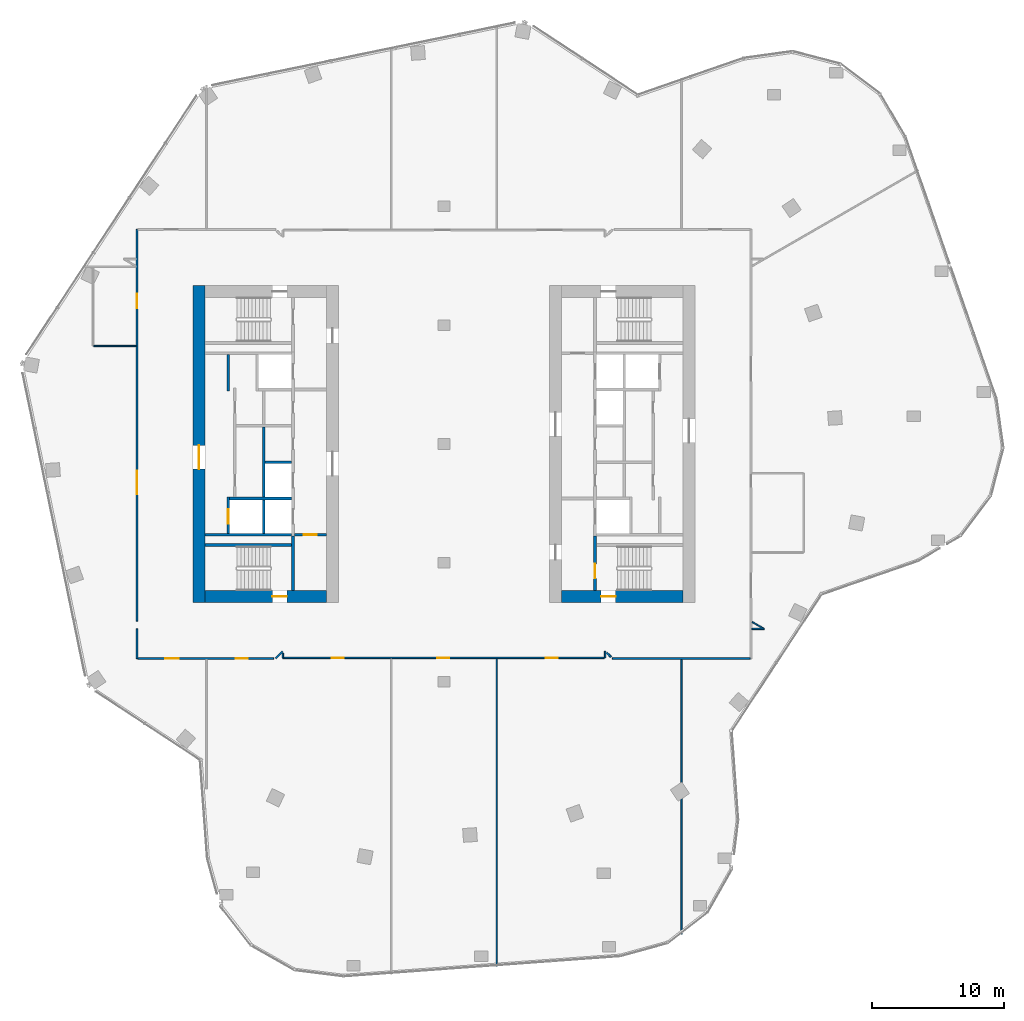
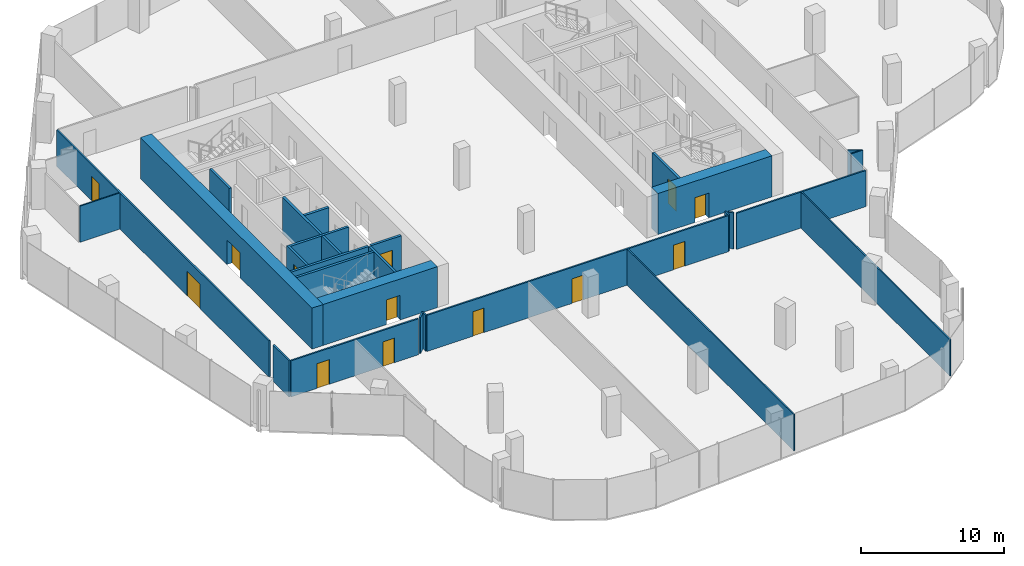
# One storey, part 18 of 24: 28 walls, 13 doors, 13 openings.
"""IFC4 building model written with IfcOpenShell, lengths in metres."""

import ifcopenshell
import ifcopenshell.guid

model = None  # the IFC model being written
_history = None  # IfcOwnerHistory: only IFC2X3 demands one
_inside = {}  # id of a spatial element -> (the spatial element, [elements in it])
_under = {}  # id of a project, library or spatial element -> (it, [spatial elements below it])
_declared = {}  # id of a project -> (the project, [libraries it declares])
_typed = {}  # id of a type object -> (the type object, [elements of that type])
_made_of = {}  # id of a material, layer set ... -> (it, [elements and type objects made of it])


def new_model(schema):
    """Start an empty IFC model of exactly this schema.

    Asked for "IFC4X3", IfcOpenShell would pick the latest addendum, in which some entities
    have other attributes; the version numbers below select the first issue.
    IFC2X3 requires an IfcOwnerHistory on every rooted entity: one is made here for all.
    """
    global model, _history
    if schema == "IFC4X3":
        model = ifcopenshell.file(schema_version=(4, 3, 0, 0))
    else:
        model = ifcopenshell.file(schema=schema)
    _inside.clear()
    _under.clear()
    _declared.clear()
    _typed.clear()
    _made_of.clear()
    _history = None
    if model.schema == "IFC2X3":
        org = make("IfcOrganization", Name="unknown")
        user = make(
            "IfcPersonAndOrganization",
            ThePerson=make("IfcPerson", FamilyName="unknown"),
            TheOrganization=org,
        )
        app = make(
            "IfcApplication",
            ApplicationDeveloper=org,
            Version="unknown",
            ApplicationFullName="unknown",
            ApplicationIdentifier="unknown",
        )
        _history = make(
            "IfcOwnerHistory",
            OwningUser=user,
            OwningApplication=app,
            ChangeAction="ADDED",
            CreationDate=0,
        )
    return model


def make(cls, **values):
    """One entity of the class cls with the attributes given. An attribute that is None is left unset."""
    return model.create_entity(
        cls, **{name: value for name, value in values.items() if value is not None}
    )


def rooted(cls, **values):
    """An entity with a GlobalId (a new one), such as an element, a storey or a relation."""
    return make(cls, GlobalId=ifcopenshell.guid.new(), OwnerHistory=_history, **values)


def si_unit(unit_type, name, prefix=None):
    """IfcSIUnit, for example si_unit("LENGTHUNIT", "METRE", prefix="MILLI")."""
    return make("IfcSIUnit", UnitType=unit_type, Prefix=prefix, Name=name)


def assignment(units):
    """IfcUnitAssignment: the units of a project."""
    return None if units is None else make("IfcUnitAssignment", Units=units)


def point(xyz):
    """IfcCartesianPoint."""
    return None if xyz is None else make("IfcCartesianPoint", Coordinates=xyz)


def direction(xyz):
    """IfcDirection."""
    return None if xyz is None else make("IfcDirection", DirectionRatios=xyz)


def frame(location, z_axis=None, x_axis=None):
    """IfcAxis2Placement3D, a coordinate frame: its origin and axes. An axis left out is left unset."""
    return make(
        "IfcAxis2Placement3D",
        Location=point(location),
        Axis=direction(z_axis),
        RefDirection=direction(x_axis),
    )


def frame_2d(location, x_axis=None):
    """IfcAxis2Placement2D, a coordinate frame in the plane: its origin and x axis."""
    return make(
        "IfcAxis2Placement2D", Location=point(location), RefDirection=direction(x_axis)
    )


def origin():
    """The frame at (0, 0, 0) with its axes left unset."""
    return frame((0.0, 0.0, 0.0))


def place(relative_to, where):
    """IfcLocalPlacement: puts the frame where relative to a parent placement (None: the world)."""
    return make(
        "IfcLocalPlacement", PlacementRelTo=relative_to, RelativePlacement=where
    )


def context(
    kind, dimensions, precision=None, world=None, true_north=None, identifier=None
):
    """IfcGeometricRepresentationContext, for example the 3D "Model" context."""
    return make(
        "IfcGeometricRepresentationContext",
        ContextIdentifier=identifier,
        ContextType=kind,
        CoordinateSpaceDimension=dimensions,
        Precision=precision,
        WorldCoordinateSystem=world,
        TrueNorth=true_north,
    )


def subcontext(parent, identifier, kind, view, scale=None):
    """IfcGeometricRepresentationSubContext, for example "Body" below "Model"."""
    return make(
        "IfcGeometricRepresentationSubContext",
        ContextIdentifier=identifier,
        ContextType=kind,
        ParentContext=parent,
        TargetScale=scale,
        TargetView=view,
    )


def project(units=None, contexts=None):
    """IfcProject with its units and contexts."""
    return rooted(
        "IfcProject",
        Name="project",
        RepresentationContexts=contexts,
        UnitsInContext=assignment(units),
    )


def spatial(cls, under=None, at=None, **own):
    """A site, building, storey or space (cls), placed at a placement, below another one or the project."""
    s = rooted(cls, ObjectPlacement=at, **own)
    if under is not None:
        _under.setdefault(under.id(), (under, []))[1].append(s)
    return s


def profile(cls, at=None, kind="AREA", **sizes):
    """A parametric profile (cls). Its sizes go by their IFC names, for example OverallWidth=200.0."""
    return make(cls, ProfileType=kind, Position=at, **sizes)


def rectangle(**sizes):
    """IfcRectangleProfileDef."""
    return profile("IfcRectangleProfileDef", **sizes)


def extrude(swept, where, along, depth):
    """IfcExtrudedAreaSolid: the profile swept, set in the frame where, extruded along a direction by depth."""
    return make(
        "IfcExtrudedAreaSolid",
        SweptArea=swept,
        Position=where,
        ExtrudedDirection=direction(along),
        Depth=depth,
    )


def shape(context_of_items, identifier, shape_type, items):
    """IfcShapeRepresentation: the items that make up one representation, for example the "Body"."""
    return make(
        "IfcShapeRepresentation",
        ContextOfItems=context_of_items,
        RepresentationIdentifier=identifier,
        RepresentationType=shape_type,
        Items=items,
    )


def material(Name=None, Category=None):
    """IfcMaterial."""
    return make("IfcMaterial", Name=Name, Category=Category)


def layer(
    of_material, thickness, ventilated=None, Name=None, Category=None, Priority=None
):
    """IfcMaterialLayer: one layer of a wall or slab, of a material (None: an air gap)."""
    return make(
        "IfcMaterialLayer",
        Material=of_material,
        LayerThickness=thickness,
        IsVentilated=ventilated,
        Name=Name,
        Category=Category,
        Priority=Priority,
    )


def layer_set(layers, Name=None):
    """IfcMaterialLayerSet."""
    return make("IfcMaterialLayerSet", MaterialLayers=layers, LayerSetName=Name)


def made_of(thing, what):
    """Note that an element or type object is made of a material, layer set ...; save() writes the relation."""
    if what is not None:
        _made_of.setdefault(what.id(), (what, []))[1].append(thing)
    return thing


def type_object(cls, material=None, **own):
    """A type object (cls), such as IfcWallType, which elements share."""
    return made_of(rooted(cls, **own), material)


def element(
    cls,
    number,
    at=None,
    inside=None,
    cuts=None,
    type_object=None,
    material=None,
    context=None,
    identifier="Body",
    shape_type=None,
    held_by="IfcProductDefinitionShape",
    body=None,
    shapes=None,
    **own,
):
    """One element of the class cls, such as IfcWall. Its Tag is "e" and its number.

    at: its placement. inside: the storey or other place that contains it. cuts: it is an
    opening in that element (IfcRelVoidsElement). A single representation is given by context,
    identifier, shape_type and body (its items); several are given by shapes. held_by: the class
    of the entity that holds the representations. save() writes the other relations.
    """
    e = rooted(cls, Tag="e%d" % number, ObjectPlacement=at, **own)
    if body is not None:
        shapes = [shape(context, identifier, shape_type, body)]
    if shapes is not None:
        e.Representation = make(held_by, Representations=shapes)
    if inside is not None:
        _inside.setdefault(inside.id(), (inside, []))[1].append(e)
    if cuts is not None:
        rooted(
            "IfcRelVoidsElement", RelatingBuildingElement=cuts, RelatedOpeningElement=e
        )
    if type_object is not None:
        _typed.setdefault(type_object.id(), (type_object, []))[1].append(e)
    return made_of(e, material)


def fill(opening, filler):
    """IfcRelFillsElement: the door or window that sits in an opening."""
    return rooted(
        "IfcRelFillsElement",
        RelatingOpeningElement=opening,
        RelatedBuildingElement=filler,
    )


def aggregate(whole, parts):
    """IfcRelAggregates: a whole, such as a stair, and the parts it consists of."""
    return rooted("IfcRelAggregates", RelatingObject=whole, RelatedObjects=parts)


def save(model, path):
    """Write the relations noted so far, then the file.

    IfcRelAggregates (storeys below a building ...), IfcRelContainedInSpatialStructure (elements
    in a storey), IfcRelDefinesByType, IfcRelAssociatesMaterial and IfcRelDeclares: one each for
    every whole, place, type object, material and project.
    """
    for whole, parts in _under.values():
        aggregate(whole, parts)
    for where, things in _inside.values():
        rooted(
            "IfcRelContainedInSpatialStructure",
            RelatedElements=things,
            RelatingStructure=where,
        )
    for kind, things in _typed.values():
        rooted("IfcRelDefinesByType", RelatedObjects=things, RelatingType=kind)
    for what, things in _made_of.values():
        rooted("IfcRelAssociatesMaterial", RelatedObjects=things, RelatingMaterial=what)
    for by, libraries in _declared.values():
        rooted("IfcRelDeclares", RelatingContext=by, RelatedDefinitions=libraries)
    model.write(path)


model = new_model("IFC4")

# Units and contexts
model_context = context("Model", 3, precision=1e-05, world=origin(), true_north=direction((0.0, 1.0)))
body_context = subcontext(model_context, "Body", "Model", "MODEL_VIEW")
ifc_project = project(units=[si_unit("LENGTHUNIT", "METRE"), si_unit("AREAUNIT", "SQUARE_METRE"), si_unit("VOLUMEUNIT", "CUBIC_METRE"), si_unit("PLANEANGLEUNIT", "RADIAN"), si_unit("MASSUNIT", "GRAM", prefix="KILO")], contexts=[model_context])

# Site, building, storey
site_placement = place(None, origin())
site = spatial("IfcSite", under=ifc_project, at=site_placement, CompositionType="ELEMENT")
building_placement = place(site_placement, origin())
building = spatial("IfcBuilding", under=site, at=building_placement, Name="Orlundy Tower", CompositionType="ELEMENT")
storey_placement = place(building_placement, frame((0.0, 0.0, 239.0)))
storey = spatial("IfcBuildingStorey", under=building, at=storey_placement, Name="L63", CompositionType="ELEMENT", Elevation=239.0)

# Wall, opening, door
ifc_material_1 = material(Name="Concrete C60/75", Category="concrete")
ifc_layer_1 = layer(ifc_material_1, 0.89990234375)
ifc_layer_set_1 = layer_set([ifc_layer_1], Name="CORE WALL 900 C60/75")
wall_type_1 = type_object("IfcWallType", Name="CORE WALL 900 C60/75", PredefinedType="SHEAR", material=ifc_layer_set_1)
wall_1_placement = place(storey_placement, frame((-18.10009765625, -11.550048828125, 0.0), z_axis=(0.0, 0.0, 1.0), x_axis=(1.0, 0.0, 0.0)))
wall_1 = element("IfcWall", 1, at=wall_1_placement, inside=storey, type_object=wall_type_1, Name="Core wall W-S L63", PredefinedType="SHEAR", context=body_context, shape_type="SweptSolid", body=[
    extrude(rectangle(XDim=9.2001953125, YDim=0.89990234375, at=frame_2d((4.60009765625, 0.0))), origin(), (0.0, 0.0, 1.0), 3.5),
])
opening_1_placement = place(wall_1_placement, frame((5.10009765625, 0.0, 0.0)))
opening_1 = element("IfcOpeningElement", 2, at=opening_1_placement, cuts=wall_1, Name="Opening 48013", PredefinedType="OPENING", context=body_context, shape_type="SweptSolid", body=[
    extrude(rectangle(XDim=1.10009765625, YDim=2.10009765625, at=frame_2d((0.550048828125, 1.050048828125))), frame((0.0, 0.4599609375, 0.0), z_axis=(0.0, -1.0, 0.0), x_axis=(1.0, 0.0, 0.0)), (0.0, 0.0, 1.0), 0.919921875),
])
ifc_material_2 = material(Name="Steel door set", Category="steel")
door_type_1 = type_object("IfcDoorType", Name="Stair Door 1100x2100", OperationType="SINGLE_SWING_LEFT", PredefinedType="DOOR", material=ifc_material_2)
door_1_placement = place(opening_1_placement, origin())
door_1 = element("IfcDoor", 3, at=door_1_placement, inside=storey, type_object=door_type_1, Name="Stair door 48013", OperationType="SINGLE_SWING_RIGHT", OverallHeight=2.10009765625, OverallWidth=1.10009765625, PredefinedType="DOOR", context=body_context, shape_type="SweptSolid", body=[
    extrude(rectangle(XDim=1.10009765625, YDim=2.10009765625, at=frame_2d((0.550048828125, 1.050048828125))), frame((0.0, 0.02490234375, 0.0), z_axis=(0.0, -1.0, 0.0), x_axis=(1.0, 0.0, 0.0)), (0.0, 0.0, 1.0), 0.050048828125),
])
fill(opening_1, door_1)

wall_2_placement = place(storey_placement, frame((-18.550048828125, -12.0, 0.0), z_axis=(0.0, 0.0, 1.0), x_axis=(0.0, 1.0, 0.0)))
wall_2 = element("IfcWall", 4, at=wall_2_placement, inside=storey, type_object=wall_type_1, Name="Core wall W-W L63", PredefinedType="SHEAR", context=body_context, shape_type="SweptSolid", body=[
    extrude(rectangle(XDim=24.0, YDim=0.89990234375, at=frame_2d((12.0, 0.0))), origin(), (0.0, 0.0, 1.0), 3.5),
])
opening_2_placement = place(wall_2_placement, frame((10.10009765625, 0.0, 0.0)))
opening_2 = element("IfcOpeningElement", 5, at=opening_2_placement, cuts=wall_2, Name="Opening 48010", PredefinedType="OPENING", context=body_context, shape_type="SweptSolid", body=[
    extrude(rectangle(XDim=1.800048828125, YDim=2.10009765625, at=frame_2d((0.89990234375, 1.050048828125))), frame((0.0, 0.4599609375, 0.0), z_axis=(0.0, -1.0, 0.0), x_axis=(1.0, 0.0, 0.0)), (0.0, 0.0, 1.0), 0.919921875),
])
ifc_material_3 = material(Name="Timber door set", Category="wood")
door_type_2 = type_object("IfcDoorType", Name="Lobby Door 1800x2100", OperationType="DOUBLE_DOOR_DOUBLE_SWING", PredefinedType="DOOR", material=ifc_material_3)
door_2_placement = place(opening_2_placement, origin())
door_2 = element("IfcDoor", 6, at=door_2_placement, inside=storey, type_object=door_type_2, Name="Lift lobby door 48010", OperationType="SINGLE_SWING_LEFT", OverallHeight=2.10009765625, OverallWidth=1.800048828125, PredefinedType="DOOR", context=body_context, shape_type="SweptSolid", body=[
    extrude(rectangle(XDim=1.800048828125, YDim=2.10009765625, at=frame_2d((0.89990234375, 1.050048828125))), frame((0.0, 0.02490234375, 0.0), z_axis=(0.0, -1.0, 0.0), x_axis=(1.0, 0.0, 0.0)), (0.0, 0.0, 1.0), 0.050048828125),
])
fill(opening_2, door_2)

wall_3_placement = place(storey_placement, frame((8.89990234375, -11.550048828125, 0.0), z_axis=(0.0, 0.0, 1.0), x_axis=(1.0, 0.0, 0.0)))
wall_3 = element("IfcWall", 7, at=wall_3_placement, inside=storey, type_object=wall_type_1, Name="Core wall E-S L63", PredefinedType="SHEAR", context=body_context, shape_type="SweptSolid", body=[
    extrude(rectangle(XDim=9.2001953125, YDim=0.89990234375, at=frame_2d((4.60009765625, 0.0))), origin(), (0.0, 0.0, 1.0), 3.5),
])
opening_3_placement = place(wall_3_placement, frame((3.0, 0.0, 0.0)))
opening_3 = element("IfcOpeningElement", 8, at=opening_3_placement, cuts=wall_3, Name="Opening 48061", PredefinedType="OPENING", context=body_context, shape_type="SweptSolid", body=[
    extrude(rectangle(XDim=1.10009765625, YDim=2.10009765625, at=frame_2d((0.550048828125, 1.050048828125))), frame((0.0, 0.4599609375, 0.0), z_axis=(0.0, -1.0, 0.0), x_axis=(1.0, 0.0, 0.0)), (0.0, 0.0, 1.0), 0.919921875),
])
door_3_placement = place(opening_3_placement, origin())
door_3 = element("IfcDoor", 9, at=door_3_placement, inside=storey, type_object=door_type_1, Name="Stair door 48061", OperationType="SINGLE_SWING_LEFT", OverallHeight=2.10009765625, OverallWidth=1.10009765625, PredefinedType="DOOR", context=body_context, shape_type="SweptSolid", body=[
    extrude(rectangle(XDim=1.10009765625, YDim=2.10009765625, at=frame_2d((0.550048828125, 1.050048828125))), frame((0.0, 0.02490234375, 0.0), z_axis=(0.0, -1.0, 0.0), x_axis=(1.0, 0.0, 0.0)), (0.0, 0.0, 1.0), 0.050048828125),
])
fill(opening_3, door_3)

# Walls
ifc_material_4 = material(Name="Gypsum board partition")
ifc_layer_2 = layer(ifc_material_4, 0.10009765625)
ifc_layer_set_2 = layer_set([ifc_layer_2], Name="Floor partition 100")
wall_type_2 = type_object("IfcWallType", Name="Floor partition 100", PredefinedType="PARTITIONING", material=ifc_layer_set_2)
wall_4_placement = place(storey_placement, frame((23.337890625, -13.47412109375, 0.0), z_axis=(0.0, 0.0, 1.0), x_axis=(0.866295472041, -0.499531936037, 0.0)))
element("IfcWall", 10, at=wall_4_placement, inside=storey, type_object=wall_type_2, Name="wall-int-L63-005", PredefinedType="PARTITIONING", context=body_context, shape_type="SweptSolid", body=[
    extrude(rectangle(XDim=0.99853515625, YDim=0.10009765625, at=frame_2d((0.499267578125, 0.0))), origin(), (0.0, 0.0, 1.0), 3.080078125),
])
wall_5_placement = place(storey_placement, frame((23.31396484375, -14.0, 0.0), z_axis=(0.0, 0.0, 1.0), x_axis=(1.0, 0.0, 0.0)))
element("IfcWall", 11, at=wall_5_placement, inside=storey, type_object=wall_type_2, Name="wall-int-L63-009", PredefinedType="PARTITIONING", context=body_context, shape_type="SweptSolid", body=[
    extrude(rectangle(XDim=0.93310546875, YDim=0.10009765625, at=frame_2d((0.466552734375, 0.0))), origin(), (0.0, 0.0, 1.0), 3.080078125),
])
wall_6_placement = place(storey_placement, frame((-26.531982421875, 7.423095703125, 0.0), z_axis=(0.0, 0.0, 1.0), x_axis=(1.0, 0.0, 0.0)))
element("IfcWall", 12, at=wall_6_placement, inside=storey, type_object=wall_type_2, Name="wall-int-L63-012", PredefinedType="PARTITIONING", context=body_context, shape_type="SweptSolid", body=[
    extrude(rectangle(XDim=3.219970703125, YDim=0.10009765625, at=frame_2d((1.60986328125, 0.0))), origin(), (0.0, 0.0, 1.0), 3.080078125),
])
wall_7_placement = place(storey_placement, frame((18.0, -37.118896484375, 0.0), z_axis=(0.0, 0.0, 1.0), x_axis=(0.0, 1.0, 0.0)))
element("IfcWall", 13, at=wall_7_placement, inside=storey, type_object=wall_type_2, Name="wall-int-L63-025", PredefinedType="PARTITIONING", context=body_context, shape_type="SweptSolid", body=[
    extrude(rectangle(XDim=20.806884765625, YDim=0.10009765625, at=frame_2d((10.4033203125, 0.0))), origin(), (0.0, 0.0, 1.0), 3.080078125),
])
wall_8_placement = place(storey_placement, frame((4.0, -39.56494140625, 0.0), z_axis=(0.0, 0.0, 1.0), x_axis=(0.0, 1.0, 0.0)))
element("IfcWall", 14, at=wall_8_placement, inside=storey, type_object=wall_type_2, Name="wall-int-L63-029", PredefinedType="PARTITIONING", context=body_context, shape_type="SweptSolid", body=[
    extrude(rectangle(XDim=23.302978515625, YDim=0.10009765625, at=frame_2d((11.6513671875, 0.0))), origin(), (0.0, 0.0, 1.0), 3.080078125),
])
ifc_material_5 = material(Name="Gypsum board partition, double layer")
ifc_layer_3 = layer(ifc_material_5, 0.125)
ifc_layer_set_3 = layer_set([ifc_layer_3], Name="Floor partition 125")
wall_type_3 = type_object("IfcWallType", Name="Floor partition 125", PredefinedType="PARTITIONING", material=ifc_layer_set_3)
wall_9_placement = place(storey_placement, frame((-12.200927734375, -15.842041015625, 0.0), z_axis=(0.0, 0.0, 1.0), x_axis=(0.002728502804, -0.999996277629, 0.0)))
element("IfcWall", 15, at=wall_9_placement, inside=storey, type_object=wall_type_3, Name="wall-int-L63-001", PredefinedType="PARTITIONING", context=body_context, shape_type="SweptSolid", body=[
    extrude(rectangle(XDim=0.35791015625, YDim=0.125, at=frame_2d((0.178955078125, 0.0))), origin(), (0.0, 0.0, 1.0), 3.080078125),
])
wall_10_placement = place(storey_placement, frame((12.3291015625, -15.806884765625, 0.0), z_axis=(0.0, 0.0, 1.0), x_axis=(0.706834450471, -0.707379007059, 0.0)))
element("IfcWall", 16, at=wall_10_placement, inside=storey, type_object=wall_type_3, Name="wall-int-L63-002", PredefinedType="PARTITIONING", context=body_context, shape_type="SweptSolid", body=[
    extrude(rectangle(XDim=0.4482421875, YDim=0.125, at=frame_2d((0.22412109375, 0.0))), origin(), (0.0, 0.0, 1.0), 3.080078125),
])

# Wall, openings, doors
wall_11_placement = place(storey_placement, frame((-12.909912109375, -16.25, 0.0), z_axis=(0.0, 0.0, 1.0), x_axis=(-1.0, 0.0, 0.0)))
wall_11 = element("IfcWall", 17, at=wall_11_placement, inside=storey, type_object=wall_type_3, Name="wall-int-L63-006", PredefinedType="PARTITIONING", context=body_context, shape_type="SweptSolid", body=[
    extrude(rectangle(XDim=10.278076171875, YDim=0.125, at=frame_2d((5.13916015625, 0.0))), origin(), (0.0, 0.0, 1.0), 3.080078125),
])
opening_4_placement = place(wall_11_placement, frame((7.190185546875, 0.0, 0.0)))
opening_4 = element("IfcOpeningElement", 18, at=opening_4_placement, cuts=wall_11, Name="Opening 48100", PredefinedType="OPENING", context=body_context, shape_type="SweptSolid", body=[
    extrude(rectangle(XDim=1.0, YDim=2.10009765625, at=frame_2d((0.5, 1.050048828125))), frame((0.0, 0.072509765625, 0.0), z_axis=(0.0, -1.0, 0.0), x_axis=(1.0, 0.0, 0.0)), (0.0, 0.0, 1.0), 0.14501953125),
])
opening_5_placement = place(wall_11_placement, frame((1.94921875, 0.0, 0.0)))
opening_5 = element("IfcOpeningElement", 19, at=opening_5_placement, cuts=wall_11, Name="Opening 48101", PredefinedType="OPENING", context=body_context, shape_type="SweptSolid", body=[
    extrude(rectangle(XDim=0.89990234375, YDim=2.10009765625, at=frame_2d((0.449951171875, 1.050048828125))), frame((0.0, 0.072509765625, 0.0), z_axis=(0.0, -1.0, 0.0), x_axis=(1.0, 0.0, 0.0)), (0.0, 0.0, 1.0), 0.14501953125),
])
ifc_material_6 = material(Name="Timber door leaf", Category="wood")
door_type_3 = type_object("IfcDoorType", Name="Floor door single 900 FD30S", OperationType="NOTDEFINED", PredefinedType="DOOR", material=ifc_material_6)
door_4_placement = place(opening_5_placement, origin())
door_4 = element("IfcDoor", 20, at=door_4_placement, inside=storey, type_object=door_type_3, Name="Door 48101", OperationType="SINGLE_SWING_LEFT", OverallHeight=2.10009765625, OverallWidth=0.89990234375, PredefinedType="DOOR", context=body_context, shape_type="SweptSolid", body=[
    extrude(rectangle(XDim=0.89990234375, YDim=2.10009765625, at=frame_2d((0.449951171875, 1.050048828125))), frame((0.0, 0.02490234375, 0.0), z_axis=(0.0, -1.0, 0.0), x_axis=(1.0, 0.0, 0.0)), (0.0, 0.0, 1.0), 0.050048828125),
])
fill(opening_5, door_4)
ifc_material_7 = material(Name="Timber door leaf", Category="wood")
door_type_4 = type_object("IfcDoorType", Name="Floor door wide 1000 FD30S", OperationType="NOTDEFINED", PredefinedType="DOOR", material=ifc_material_7)
door_5_placement = place(opening_4_placement, origin())
door_5 = element("IfcDoor", 21, at=door_5_placement, inside=storey, type_object=door_type_4, Name="Door 48100", OperationType="SINGLE_SWING_RIGHT", OverallHeight=2.10009765625, OverallWidth=1.0, PredefinedType="DOOR", context=body_context, shape_type="SweptSolid", body=[
    extrude(rectangle(XDim=1.0, YDim=2.10009765625, at=frame_2d((0.5, 1.050048828125))), frame((0.0, 0.02490234375, 0.0), z_axis=(0.0, -1.0, 0.0), x_axis=(1.0, 0.0, 0.0)), (0.0, 0.0, 1.0), 0.050048828125),
])
fill(opening_4, door_5)

# Wall
wall_12_placement = place(storey_placement, frame((12.759033203125, -16.25, 0.0), z_axis=(0.0, 0.0, 1.0), x_axis=(1.0, 0.0, 0.0)))
element("IfcWall", 22, at=wall_12_placement, inside=storey, type_object=wall_type_3, Name="wall-int-L63-007", PredefinedType="PARTITIONING", context=body_context, shape_type="SweptSolid", body=[
    extrude(rectangle(XDim=10.429931640625, YDim=0.125, at=frame_2d((5.21484375, 0.0))), origin(), (0.0, 0.0, 1.0), 3.080078125),
])

# Wall, openings, doors
wall_13_placement = place(storey_placement, frame((12.138916015625, -16.199951171875, 0.0), z_axis=(0.0, 0.0, 1.0), x_axis=(-1.0, 0.0, 0.0)))
wall_13 = element("IfcWall", 23, at=wall_13_placement, inside=storey, type_object=wall_type_3, Name="wall-int-L63-008", PredefinedType="PARTITIONING", context=body_context, shape_type="SweptSolid", body=[
    extrude(rectangle(XDim=24.3388671875, YDim=0.125, at=frame_2d((12.16943359375, 0.0))), origin(), (0.0, 0.0, 1.0), 3.080078125),
])
opening_6_placement = place(wall_13_placement, frame((19.738525390625, 0.0, 0.0)))
opening_6 = element("IfcOpeningElement", 24, at=opening_6_placement, cuts=wall_13, Name="Opening 48102", PredefinedType="OPENING", context=body_context, shape_type="SweptSolid", body=[
    extrude(rectangle(XDim=0.89990234375, YDim=2.10009765625, at=frame_2d((0.449951171875, 1.050048828125))), frame((0.0, 0.072509765625, 0.0), z_axis=(0.0, -1.0, 0.0), x_axis=(1.0, 0.0, 0.0)), (0.0, 0.0, 1.0), 0.14501953125),
])
opening_7_placement = place(wall_13_placement, frame((11.738525390625, 0.0, 0.0)))
opening_7 = element("IfcOpeningElement", 25, at=opening_7_placement, cuts=wall_13, Name="Opening 48103", PredefinedType="OPENING", context=body_context, shape_type="SweptSolid", body=[
    extrude(rectangle(XDim=0.89990234375, YDim=2.10009765625, at=frame_2d((0.449951171875, 1.050048828125))), frame((0.0, 0.072509765625, 0.0), z_axis=(0.0, -1.0, 0.0), x_axis=(1.0, 0.0, 0.0)), (0.0, 0.0, 1.0), 0.14501953125),
])
opening_8_placement = place(wall_13_placement, frame((3.53759765625, 0.0, 0.0)))
opening_8 = element("IfcOpeningElement", 26, at=opening_8_placement, cuts=wall_13, Name="Opening 48104", PredefinedType="OPENING", context=body_context, shape_type="SweptSolid", body=[
    extrude(rectangle(XDim=0.89990234375, YDim=2.10009765625, at=frame_2d((0.449951171875, 1.050048828125))), frame((0.0, 0.072509765625, 0.0), z_axis=(0.0, -1.0, 0.0), x_axis=(1.0, 0.0, 0.0)), (0.0, 0.0, 1.0), 0.14501953125),
])
door_6_placement = place(opening_6_placement, origin())
door_6 = element("IfcDoor", 27, at=door_6_placement, inside=storey, type_object=door_type_3, Name="Door 48102", OperationType="SINGLE_SWING_RIGHT", OverallHeight=2.10009765625, OverallWidth=0.89990234375, PredefinedType="DOOR", context=body_context, shape_type="SweptSolid", body=[
    extrude(rectangle(XDim=0.89990234375, YDim=2.10009765625, at=frame_2d((0.449951171875, 1.050048828125))), frame((0.0, 0.02490234375, 0.0), z_axis=(0.0, -1.0, 0.0), x_axis=(1.0, 0.0, 0.0)), (0.0, 0.0, 1.0), 0.050048828125),
])
fill(opening_6, door_6)
door_7_placement = place(opening_7_placement, origin())
door_7 = element("IfcDoor", 28, at=door_7_placement, inside=storey, type_object=door_type_3, Name="Door 48103", OperationType="SINGLE_SWING_RIGHT", OverallHeight=2.10009765625, OverallWidth=0.89990234375, PredefinedType="DOOR", context=body_context, shape_type="SweptSolid", body=[
    extrude(rectangle(XDim=0.89990234375, YDim=2.10009765625, at=frame_2d((0.449951171875, 1.050048828125))), frame((0.0, 0.02490234375, 0.0), z_axis=(0.0, -1.0, 0.0), x_axis=(1.0, 0.0, 0.0)), (0.0, 0.0, 1.0), 0.050048828125),
])
fill(opening_7, door_7)
door_8_placement = place(opening_8_placement, origin())
door_8 = element("IfcDoor", 29, at=door_8_placement, inside=storey, type_object=door_type_3, Name="Door 48104", OperationType="SINGLE_SWING_LEFT", OverallHeight=2.10009765625, OverallWidth=0.89990234375, PredefinedType="DOOR", context=body_context, shape_type="SweptSolid", body=[
    extrude(rectangle(XDim=0.89990234375, YDim=2.10009765625, at=frame_2d((0.449951171875, 1.050048828125))), frame((0.0, 0.02490234375, 0.0), z_axis=(0.0, -1.0, 0.0), x_axis=(1.0, 0.0, 0.0)), (0.0, 0.0, 1.0), 0.050048828125),
])
fill(opening_8, door_8)

# Walls
wall_14_placement = place(storey_placement, frame((-12.7529296875, -16.23095703125, 0.0), z_axis=(0.0, 0.0, 1.0), x_axis=(0.707106781187, 0.707106781187, 0.0)))
element("IfcWall", 30, at=wall_14_placement, inside=storey, type_object=wall_type_3, Name="wall-int-L63-020", PredefinedType="PARTITIONING", context=body_context, shape_type="SweptSolid", body=[
    extrude(rectangle(XDim=0.7509765625, YDim=0.125, at=frame_2d((0.37548828125, 0.0))), origin(), (0.0, 0.0, 1.0), 3.080078125),
])
wall_15_placement = place(storey_placement, frame((12.200927734375, -16.199951171875, 0.0), z_axis=(0.0, 0.0, 1.0), x_axis=(0.0, 1.0, 0.0)))
element("IfcWall", 31, at=wall_15_placement, inside=storey, type_object=wall_type_3, Name="wall-int-L63-027", PredefinedType="PARTITIONING", context=body_context, shape_type="SweptSolid", body=[
    extrude(rectangle(XDim=0.508056640625, YDim=0.125, at=frame_2d((0.25390625, 0.0))), origin(), (0.0, 0.0, 1.0), 3.080078125),
])
wall_16_placement = place(storey_placement, frame((-23.25, -16.25, 0.0), z_axis=(0.0, 0.0, 1.0), x_axis=(0.0, 1.0, 0.0)))
element("IfcWall", 32, at=wall_16_placement, inside=storey, type_object=wall_type_3, Name="wall-int-L63-035", PredefinedType="PARTITIONING", context=body_context, shape_type="SweptSolid", body=[
    extrude(rectangle(XDim=2.25, YDim=0.125, at=frame_2d((1.125, 0.0))), origin(), (0.0, 0.0, 1.0), 3.080078125),
])

# Wall, openings, doors
wall_17_placement = place(storey_placement, frame((-23.25, -13.423095703125, 0.0), z_axis=(0.0, 0.0, 1.0), x_axis=(0.0, 1.0, 0.0)))
wall_17 = element("IfcWall", 33, at=wall_17_placement, inside=storey, type_object=wall_type_3, Name="wall-int-L63-036", PredefinedType="PARTITIONING", context=body_context, shape_type="SweptSolid", body=[
    extrude(rectangle(XDim=29.673095703125, YDim=0.125, at=frame_2d((14.83642578125, 0.0))), origin(), (0.0, 0.0, 1.0), 3.080078125),
])
opening_9_placement = place(wall_17_placement, frame((9.60009765625, 0.0, 0.0)))
opening_9 = element("IfcOpeningElement", 34, at=opening_9_placement, cuts=wall_17, Name="Opening 48112", PredefinedType="OPENING", context=body_context, shape_type="SweptSolid", body=[
    extrude(rectangle(XDim=1.800048828125, YDim=2.10009765625, at=frame_2d((0.89990234375, 1.050048828125))), frame((0.0, 0.072509765625, 0.0), z_axis=(0.0, -1.0, 0.0), x_axis=(1.0, 0.0, 0.0)), (0.0, 0.0, 1.0), 0.14501953125),
])
opening_10_placement = place(wall_17_placement, frame((23.696044921875, 0.0, 0.0)))
opening_10 = element("IfcOpeningElement", 35, at=opening_10_placement, cuts=wall_17, Name="Opening 48114", PredefinedType="OPENING", context=body_context, shape_type="SweptSolid", body=[
    extrude(rectangle(XDim=1.10009765625, YDim=2.10009765625, at=frame_2d((0.550048828125, 1.050048828125))), frame((0.0, 0.072509765625, 0.0), z_axis=(0.0, -1.0, 0.0), x_axis=(1.0, 0.0, 0.0)), (0.0, 0.0, 1.0), 0.14501953125),
])
ifc_material_8 = material(Name="Timber door leaf", Category="wood")
door_type_5 = type_object("IfcDoorType", Name="Floor door double 1800 FD30S", OperationType="NOTDEFINED", PredefinedType="DOOR", material=ifc_material_8)
door_9_placement = place(opening_9_placement, origin())
door_9 = element("IfcDoor", 36, at=door_9_placement, inside=storey, type_object=door_type_5, Name="Door 48112", OperationType="DOUBLE_DOOR_SINGLE_SWING", OverallHeight=2.10009765625, OverallWidth=1.800048828125, PredefinedType="DOOR", context=body_context, shape_type="SweptSolid", body=[
    extrude(rectangle(XDim=1.800048828125, YDim=2.10009765625, at=frame_2d((0.89990234375, 1.050048828125))), frame((0.0, 0.02490234375, 0.0), z_axis=(0.0, -1.0, 0.0), x_axis=(1.0, 0.0, 0.0)), (0.0, 0.0, 1.0), 0.050048828125),
])
fill(opening_9, door_9)
ifc_material_9 = material(Name="Timber door leaf", Category="wood")
door_type_6 = type_object("IfcDoorType", Name="Floor door xwide 1100 FD30S", OperationType="NOTDEFINED", PredefinedType="DOOR", material=ifc_material_9)
door_10_placement = place(opening_10_placement, origin())
door_10 = element("IfcDoor", 37, at=door_10_placement, inside=storey, type_object=door_type_6, Name="Door 48114", OperationType="SINGLE_SWING_RIGHT", OverallHeight=2.10009765625, OverallWidth=1.10009765625, PredefinedType="DOOR", context=body_context, shape_type="SweptSolid", body=[
    extrude(rectangle(XDim=1.10009765625, YDim=2.10009765625, at=frame_2d((0.550048828125, 1.050048828125))), frame((0.0, 0.02490234375, 0.0), z_axis=(0.0, -1.0, 0.0), x_axis=(1.0, 0.0, 0.0)), (0.0, 0.0, 1.0), 0.050048828125),
])
fill(opening_10, door_10)

# Walls
ifc_material_10 = material(Name="Concrete C40/50", Category="concrete")
ifc_layer_4 = layer(ifc_material_10, 0.199951171875)
ifc_layer_set_4 = layer_set([ifc_layer_4], Name="Load-bearing Shaft Wall 200")
wall_type_4 = type_object("IfcWallType", Name="Load-bearing Shaft Wall 200", PredefinedType="SOLIDWALL", material=ifc_layer_set_4)
wall_18_placement = place(storey_placement, frame((-11.43994140625, -11.10009765625, 0.0), z_axis=(0.0, 0.0, 1.0), x_axis=(0.0, 1.0, 0.0)))
element("IfcWall", 38, at=wall_18_placement, inside=storey, type_object=wall_type_4, Name="Shaft wall W48-stair-end-s", PredefinedType="SOLIDWALL", context=body_context, shape_type="SweptSolid", body=[
    extrude(rectangle(XDim=4.125, YDim=0.199951171875, at=frame_2d((2.0625, 0.0))), origin(), (0.0, 0.0, 1.0), 3.090087890625),
])
wall_19_placement = place(storey_placement, frame((-11.5400390625, -7.64990234375, 0.0), z_axis=(0.0, 0.0, 1.0), x_axis=(-1.0, 0.0, 0.0)))
element("IfcWall", 39, at=wall_19_placement, inside=storey, type_object=wall_type_4, Name="Shaft wall W48-stair-side-s", PredefinedType="SOLIDWALL", context=body_context, shape_type="SweptSolid", body=[
    extrude(rectangle(XDim=6.56005859375, YDim=0.199951171875, at=frame_2d((3.280029296875, 0.0))), origin(), (0.0, 0.0, 1.0), 3.090087890625),
])

# Wall, opening, door
wall_20_placement = place(storey_placement, frame((11.43994140625, -6.97509765625, 0.0), z_axis=(0.0, 0.0, 1.0), x_axis=(0.0, -1.0, 0.0)))
wall_20 = element("IfcWall", 40, at=wall_20_placement, inside=storey, type_object=wall_type_4, Name="Shaft wall E48-stair-end-n", PredefinedType="SOLIDWALL", context=body_context, shape_type="SweptSolid", body=[
    extrude(rectangle(XDim=4.125, YDim=0.199951171875, at=frame_2d((2.0625, 0.0))), origin(), (0.0, 0.0, 1.0), 3.090087890625),
])
opening_11_placement = place(wall_20_placement, frame((2.10009765625, 0.0, 0.0)))
opening_11 = element("IfcOpeningElement", 41, at=opening_11_placement, cuts=wall_20, Name="Opening 48063", PredefinedType="OPENING", context=body_context, shape_type="SweptSolid", body=[
    extrude(rectangle(XDim=1.10009765625, YDim=2.10009765625, at=frame_2d((0.550048828125, 1.050048828125))), frame((0.0, 0.110107421875, 0.0), z_axis=(0.0, -1.0, 0.0), x_axis=(1.0, 0.0, 0.0)), (0.0, 0.0, 1.0), 0.22021484375),
])
ifc_material_11 = material(Name="Steel door set", Category="steel")
door_type_7 = type_object("IfcDoorType", Name="Fire-fighting Lobby Door 1100x2100", OperationType="SINGLE_SWING_LEFT", PredefinedType="DOOR", material=ifc_material_11)
door_11_placement = place(opening_11_placement, origin())
door_11 = element("IfcDoor", 42, at=door_11_placement, inside=storey, type_object=door_type_7, Name="Fire-fighting lobby to stair door 48063", OperationType="SINGLE_SWING_RIGHT", OverallHeight=2.10009765625, OverallWidth=1.10009765625, PredefinedType="DOOR", context=body_context, shape_type="SweptSolid", body=[
    extrude(rectangle(XDim=1.10009765625, YDim=2.10009765625, at=frame_2d((0.550048828125, 1.050048828125))), frame((0.0, 0.02490234375, 0.0), z_axis=(0.0, -1.0, 0.0), x_axis=(1.0, 0.0, 0.0)), (0.0, 0.0, 1.0), 0.050048828125),
])
fill(opening_11, door_11)

ifc_material_12 = material(Name="Gypsum board partition on steel studs", Category="steel")
ifc_layer_5 = layer(ifc_material_12, 0.199951171875)
ifc_layer_set_5 = layer_set([ifc_layer_5], Name="Partition 200")
wall_type_5 = type_object("IfcWallType", Name="Partition 200", PredefinedType="PARTITIONING", material=ifc_layer_set_5)
wall_21_placement = place(storey_placement, frame((-8.89990234375, -6.875, 0.0), z_axis=(0.0, 0.0, 1.0), x_axis=(-1.0, 0.0, 0.0)))
wall_21 = element("IfcWall", 43, at=wall_21_placement, inside=storey, type_object=wall_type_5, Name="Partition wall W48-end-s", PredefinedType="PARTITIONING", context=body_context, shape_type="SweptSolid", body=[
    extrude(rectangle(XDim=2.440185546875, YDim=0.199951171875, at=frame_2d((1.22021484375, 0.0))), origin(), (0.0, 0.0, 1.0), 3.090087890625),
])
opening_12_placement = place(wall_21_placement, frame((0.719970703125, 0.0, 0.0)))
opening_12 = element("IfcOpeningElement", 44, at=opening_12_placement, cuts=wall_21, Name="Opening 48015", PredefinedType="OPENING", context=body_context, shape_type="SweptSolid", body=[
    extrude(rectangle(XDim=1.0, YDim=2.10009765625, at=frame_2d((0.5, 1.050048828125))), frame((0.0, 0.110107421875, 0.0), z_axis=(0.0, -1.0, 0.0), x_axis=(1.0, 0.0, 0.0)), (0.0, 0.0, 1.0), 0.22021484375),
])
ifc_material_13 = material(Name="Timber door set", Category="wood")
door_type_8 = type_object("IfcDoorType", Name="Accessible Door 1000x2100", OperationType="SINGLE_SWING_LEFT", PredefinedType="DOOR", material=ifc_material_13)
door_12_placement = place(opening_12_placement, origin())
door_12 = element("IfcDoor", 45, at=door_12_placement, inside=storey, type_object=door_type_8, Name="Accessible WC door 48015", OperationType="SINGLE_SWING_RIGHT", OverallHeight=2.10009765625, OverallWidth=1.0, PredefinedType="DOOR", context=body_context, shape_type="SweptSolid", body=[
    extrude(rectangle(XDim=1.0, YDim=2.10009765625, at=frame_2d((0.5, 1.050048828125))), frame((0.0, 0.02490234375, 0.0), z_axis=(0.0, -1.0, 0.0), x_axis=(1.0, 0.0, 0.0)), (0.0, 0.0, 1.0), 0.050048828125),
])
fill(opening_12, door_12)

# Walls
ifc_material_14 = material(Name="Fire-rated blockwork shaft wall", Category="masonry")
ifc_layer_6 = layer(ifc_material_14, 0.199951171875)
ifc_layer_set_6 = layer_set([ifc_layer_6], Name="Shaft Wall 200")
wall_type_6 = type_object("IfcWallType", Name="Shaft Wall 200", PredefinedType="SOLIDWALL", material=ifc_layer_set_6)
wall_22_placement = place(storey_placement, frame((-11.5400390625, -6.875, 0.0), z_axis=(0.0, 0.0, 1.0), x_axis=(-1.0, 0.0, 0.0)))
element("IfcWall", 46, at=wall_22_placement, inside=storey, type_object=wall_type_6, Name="Shaft wall W48-zone-s", PredefinedType="SOLIDWALL", context=body_context, shape_type="SweptSolid", body=[
    extrude(rectangle(XDim=6.56005859375, YDim=0.199951171875, at=frame_2d((3.280029296875, 0.0))), origin(), (0.0, 0.0, 1.0), 3.090087890625),
])
wall_23_placement = place(storey_placement, frame((-11.5400390625, -4.125, 0.0), z_axis=(0.0, 0.0, 1.0), x_axis=(-1.0, 0.0, 0.0)))
element("IfcWall", 47, at=wall_23_placement, inside=storey, type_object=wall_type_6, Name="Shaft wall W48-cross-4.125", PredefinedType="SOLIDWALL", context=body_context, shape_type="SweptSolid", body=[
    extrude(rectangle(XDim=4.699951171875, YDim=0.199951171875, at=frame_2d((2.35009765625, 0.0))), origin(), (0.0, 0.0, 1.0), 3.090087890625),
])
wall_24_placement = place(storey_placement, frame((-11.5400390625, -1.375, 0.0), z_axis=(0.0, 0.0, 1.0), x_axis=(-1.0, 0.0, 0.0)))
element("IfcWall", 48, at=wall_24_placement, inside=storey, type_object=wall_type_6, Name="Shaft wall W48-cross-1.375", PredefinedType="SOLIDWALL", context=body_context, shape_type="SweptSolid", body=[
    extrude(rectangle(XDim=2.0, YDim=0.199951171875, at=frame_2d((1.0, 0.0))), origin(), (0.0, 0.0, 1.0), 3.090087890625),
])
wall_25_placement = place(storey_placement, frame((-13.639892578125, -6.77490234375, 0.0), z_axis=(0.0, 0.0, 1.0), x_axis=(0.0, 1.0, 0.0)))
element("IfcWall", 49, at=wall_25_placement, inside=storey, type_object=wall_type_6, Name="Shaft wall W48-mid-a", PredefinedType="SOLIDWALL", context=body_context, shape_type="SweptSolid", body=[
    extrude(rectangle(XDim=2.5498046875, YDim=0.199951171875, at=frame_2d((1.27490234375, 0.0))), origin(), (0.0, 0.0, 1.0), 3.090087890625),
])
wall_26_placement = place(storey_placement, frame((-13.639892578125, -4.02490234375, 0.0), z_axis=(0.0, 0.0, 1.0), x_axis=(0.0, 1.0, 0.0)))
element("IfcWall", 50, at=wall_26_placement, inside=storey, type_object=wall_type_6, Name="Shaft wall W48-mid-a.1", PredefinedType="SOLIDWALL", context=body_context, shape_type="SweptSolid", body=[
    extrude(rectangle(XDim=5.2998046875, YDim=0.199951171875, at=frame_2d((2.64990234375, 0.0))), origin(), (0.0, 0.0, 1.0), 3.090087890625),
])

# Wall, opening, door
wall_27_placement = place(storey_placement, frame((-16.340087890625, -6.77490234375, 0.0), z_axis=(0.0, 0.0, 1.0), x_axis=(0.0, 1.0, 0.0)))
wall_27 = element("IfcWall", 51, at=wall_27_placement, inside=storey, type_object=wall_type_6, Name="Shaft wall W48-front-o-a", PredefinedType="SOLIDWALL", context=body_context, shape_type="SweptSolid", body=[
    extrude(rectangle(XDim=2.75, YDim=0.199951171875, at=frame_2d((1.375, 0.0))), origin(), (0.0, 0.0, 1.0), 3.090087890625),
])
opening_13_placement = place(wall_27_placement, frame((0.72509765625, 0.0, 0.0)))
opening_13 = element("IfcOpeningElement", 52, at=opening_13_placement, cuts=wall_27, Name="Opening 48002", PredefinedType="OPENING", context=body_context, shape_type="SweptSolid", body=[
    extrude(rectangle(XDim=1.10009765625, YDim=2.10009765625, at=frame_2d((0.550048828125, 1.050048828125))), frame((0.0, 0.110107421875, 0.0), z_axis=(0.0, -1.0, 0.0), x_axis=(1.0, 0.0, 0.0)), (0.0, 0.0, 1.0), 0.22021484375),
])
ifc_material_15 = material(Name="Steel door set", Category="steel")
door_type_9 = type_object("IfcDoorType", Name="Landing Door 1100x2100", OperationType="DOUBLE_DOOR_SLIDING", PredefinedType="DOOR", material=ifc_material_15)
door_13_placement = place(opening_13_placement, origin())
door_13 = element("IfcDoor", 53, at=door_13_placement, inside=storey, type_object=door_type_9, Name="Lift landing door LV-01 48002", OperationType="DOUBLE_DOOR_SLIDING", OverallHeight=2.10009765625, OverallWidth=1.10009765625, PredefinedType="DOOR", context=body_context, shape_type="SweptSolid", body=[
    extrude(rectangle(XDim=1.10009765625, YDim=2.10009765625, at=frame_2d((0.550048828125, 1.050048828125))), frame((0.0, 0.02490234375, 0.0), z_axis=(0.0, -1.0, 0.0), x_axis=(1.0, 0.0, 0.0)), (0.0, 0.0, 1.0), 0.050048828125),
])
fill(opening_13, door_13)

# Wall
wall_28_placement = place(storey_placement, frame((-16.340087890625, 4.02490234375, 0.0), z_axis=(0.0, 0.0, 1.0), x_axis=(0.0, 1.0, 0.0)))
element("IfcWall", 54, at=wall_28_placement, inside=storey, type_object=wall_type_6, Name="Shaft wall W48-front-o-c", PredefinedType="SOLIDWALL", context=body_context, shape_type="SweptSolid", body=[
    extrude(rectangle(XDim=2.75, YDim=0.199951171875, at=frame_2d((1.375, 0.0))), origin(), (0.0, 0.0, 1.0), 3.090087890625),
])

save(model, "model.ifc")
